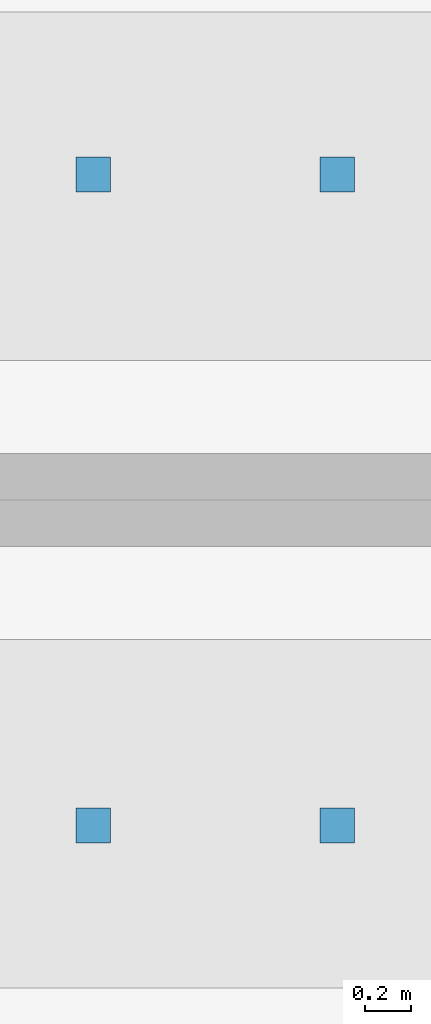
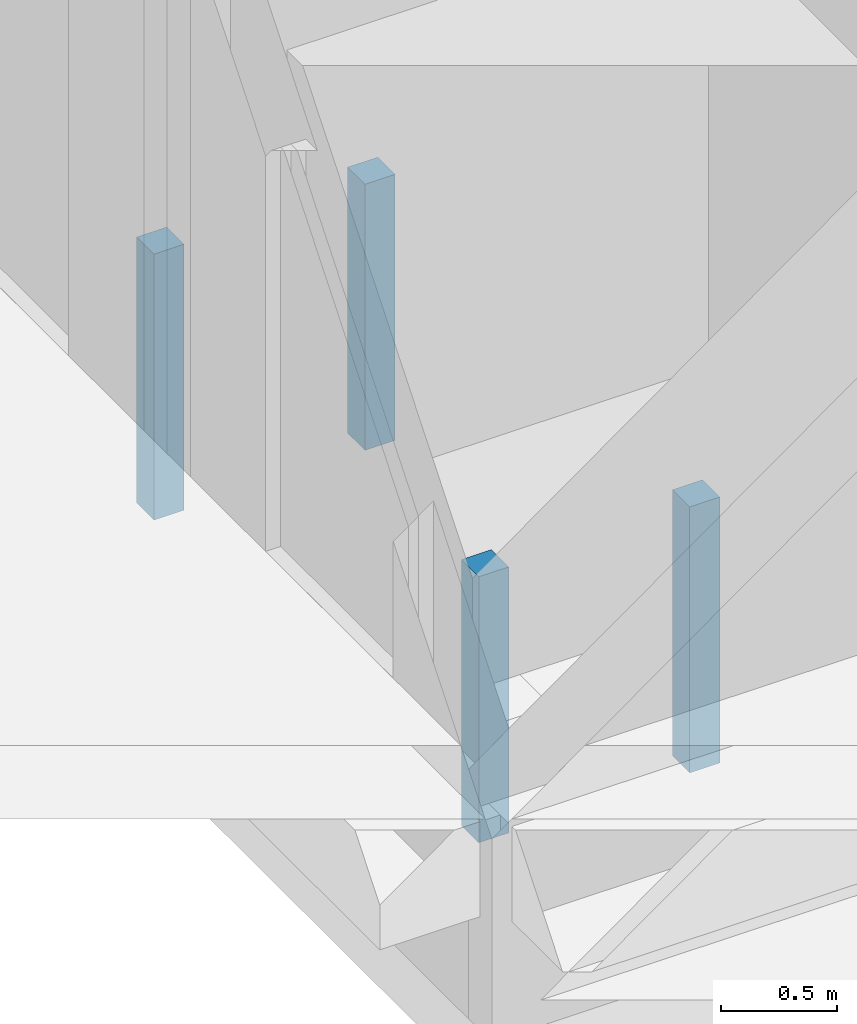
# One storey, part 109 of 148: 4 discrete accessories.
"""IFC4 building model written with IfcOpenShell, lengths in metres."""

from ifc_helpers import new_model, si_unit, direction, frame, origin, origin_2d, place, context, subcontext, project, spatial, rectangle, extrude, material, layer, layer_set, type_object, element, save


model = new_model("IFC4")

# Units and contexts
model_context = context("Model", 3, precision=1e-05, world=origin(), true_north=direction((0.0, 1.0)))
body_context = subcontext(model_context, "Body", "Model", "MODEL_VIEW")
ifc_project = project(units=[si_unit("LENGTHUNIT", "METRE"), si_unit("AREAUNIT", "SQUARE_METRE"), si_unit("VOLUMEUNIT", "CUBIC_METRE"), si_unit("PLANEANGLEUNIT", "RADIAN"), si_unit("MASSUNIT", "GRAM", prefix="KILO")], contexts=[model_context])

# Site, building, storey
site_placement = place(None, origin())
site = spatial("IfcSite", under=ifc_project, at=site_placement, CompositionType="ELEMENT")
building_placement = place(site_placement, origin())
building = spatial("IfcBuilding", under=site, at=building_placement, Name="Kupolbacken Congress Centre", CompositionType="ELEMENT")
storey_placement = place(building_placement, origin())
storey = spatial("IfcBuildingStorey", under=building, at=storey_placement, Name="L00", CompositionType="ELEMENT", Elevation=0.0)

# Discrete accessories
ifc_material = material(Name="Steel S355", Category="steel")
ifc_layer = layer(ifc_material, 0.011962890625)
ifc_layer_set = layer_set([ifc_layer], Name="Steel S355")
discrete_accessory_type = type_object("IfcDiscreteAccessoryType", Name="BK1 bracket 150 x 150 x 12", PredefinedType="BRACKET", material=ifc_layer_set)
for number, where, z_axis, x_axis, name in (
    (1, (77.375, 37.550048828125, -1.39990234375), (0.0, 0.0, 1.0), (1.0, 0.0, 0.0), "Lift car buffer post LP3"),
    (2, (78.425048828125, 37.550048828125, -1.39990234375), (0.0, 0.0, 1.0), (1.0, 0.0, 0.0), "Lift car buffer post LP3"),
    (3, (77.375, 40.35009765625, -1.39990234375), (0.0, 0.0, 1.0), (1.0, 0.0, 0.0), "Lift car buffer post LP4"),
    (4, (78.425048828125, 40.35009765625, -1.39990234375), (0.0, 0.0, 1.0), (1.0, 0.0, 0.0), "Lift car buffer post LP4"),
):
    element("IfcDiscreteAccessory", number, at=place(storey_placement, frame(where, z_axis=z_axis, x_axis=x_axis)), inside=storey, type_object=discrete_accessory_type, Name=name, PredefinedType="BRACKET", context=body_context, shape_type="SweptSolid", body=[
        extrude(rectangle(XDim=0.14990234375, YDim=0.14990234375, at=origin_2d()), origin(), (0.0, 0.0, 1.0), 1.39990234375),
    ])

save(model, "model.ifc")
